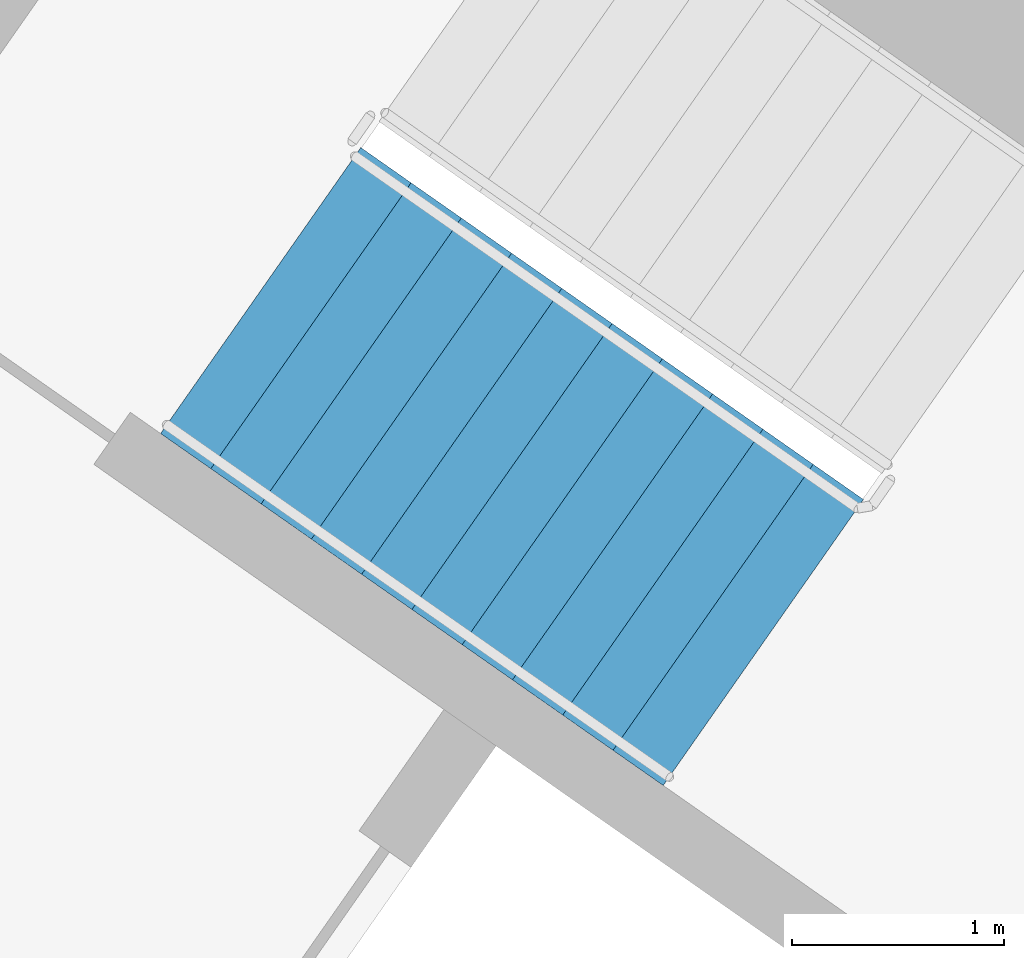
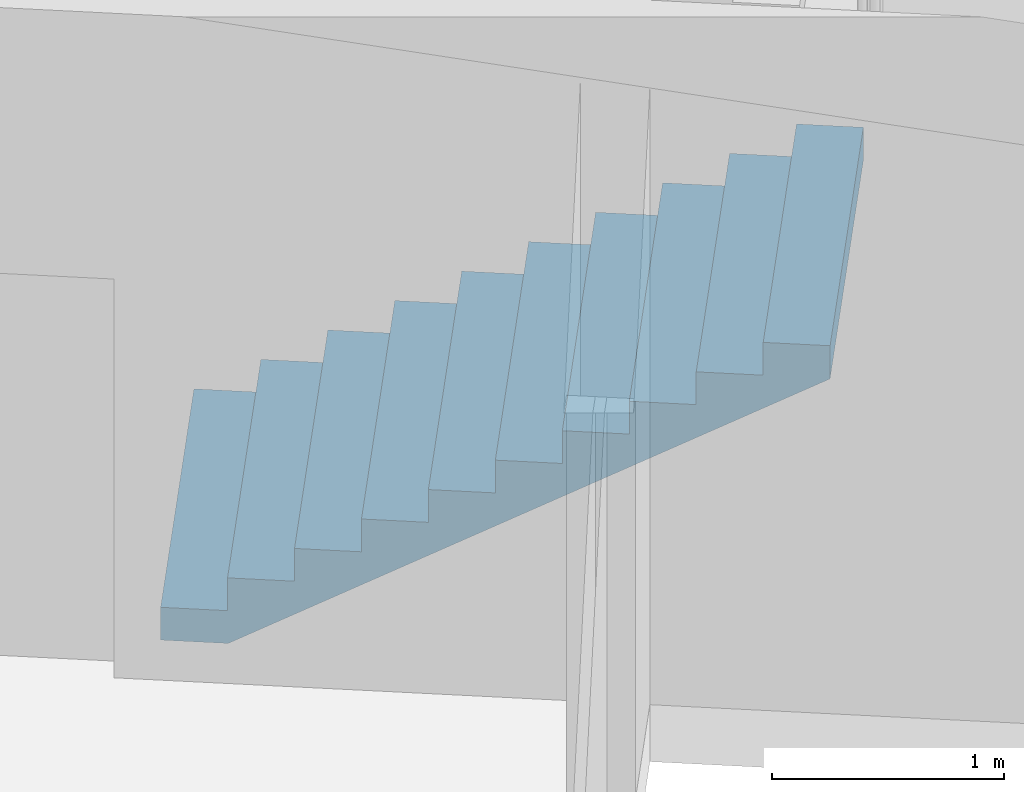
# One storey, part 13 of 32: 1 stair flight, 1 element without a shape of its own.
"""IFC4 building model written with IfcOpenShell, lengths in metres."""

from ifc_helpers import new_model, si_unit, direction, frame, origin, place, context, subcontext, project, spatial, faceted_brep, material, type_object, element, aggregate, save


model = new_model("IFC4")

# Units and contexts
model_context = context("Model", 3, precision=1e-05, world=origin(), true_north=direction((0.0, 1.0)))
body_context = subcontext(model_context, "Body", "Model", "MODEL_VIEW")
ifc_project = project(units=[si_unit("LENGTHUNIT", "METRE"), si_unit("AREAUNIT", "SQUARE_METRE"), si_unit("VOLUMEUNIT", "CUBIC_METRE"), si_unit("PLANEANGLEUNIT", "RADIAN"), si_unit("MASSUNIT", "GRAM", prefix="KILO")], contexts=[model_context])

# Site, building, storey
site_placement = place(None, origin())
site = spatial("IfcSite", under=ifc_project, at=site_placement, CompositionType="ELEMENT")
building_placement = place(site_placement, origin())
building = spatial("IfcBuilding", under=site, at=building_placement, Name="Qamariyya Broadcast Tower", CompositionType="ELEMENT")
storey_placement = place(building_placement, frame((0.0, 0.0, 63.300048828125)))
storey = spatial("IfcBuildingStorey", under=building, at=storey_placement, Name="L12", CompositionType="ELEMENT", Elevation=63.300048828125)

# Stair, stair flight
ifc_material = material(Name="Concrete C50/60", Category="concrete")
stair_type = type_object("IfcStairType", Name="Exit stair 22 risers of 173 mm", PredefinedType="HALF_TURN_STAIR", material=ifc_material)
stair_placement = place(storey_placement, origin())
stair = element("IfcStair", 1, at=stair_placement, inside=storey, type_object=stair_type, Name="L12 Stair W2", PredefinedType="HALF_TURN_STAIR")
stair_flight_type = type_object("IfcStairFlightType", Name="Exit stair flight 11 risers of 173 mm", PredefinedType="STRAIGHT", material=ifc_material)
stair_flight_placement = place(storey_placement, frame((-41.59130859375, -49.15966796875, 0.0), z_axis=(0.0, 0.0, 1.0), x_axis=(0.819152044289, -0.573576436351, 0.0)))
stair_flight = element("IfcStairFlight", 2, at=stair_flight_placement, type_object=stair_flight_type, Name="ST-W2 flight 1", NumberOfRisers=11, NumberOfTreads=10, PredefinedType="STRAIGHT", RiserHeight=0.172727273, TreadLength=0.29, context=body_context, shape_type="Brep", body=[
    faceted_brep([(0.0, 0.824951171875, 0.0), (0.0, 0.824951171875, 0.172607421875), (0.2900390625, 0.824951171875, 0.172607421875), (0.2900390625, 0.824951171875, 0.345458984375), (0.580078125, 0.824951171875, 0.345458984375), (0.580078125, 0.824951171875, 0.51806640625), (0.8701171875, 0.824951171875, 0.51806640625), (0.8701171875, 0.824951171875, 0.69091796875), (1.159912109375, 0.824951171875, 0.69091796875), (1.159912109375, 0.824951171875, 0.863525390625), (1.449951171875, 0.824951171875, 0.863525390625), (1.449951171875, 0.824951171875, 1.036376953125), (1.739990234375, 0.824951171875, 1.036376953125), (1.739990234375, 0.824951171875, 1.208984375), (2.030029296875, 0.824951171875, 1.208984375), (2.030029296875, 0.824951171875, 1.3818359375), (2.320068359375, 0.824951171875, 1.3818359375), (2.320068359375, 0.824951171875, 1.554443359375), (2.610107421875, 0.824951171875, 1.554443359375), (2.610107421875, 0.824951171875, 1.727294921875), (2.89990234375, 0.824951171875, 1.727294921875), (2.89990234375, 0.824951171875, 1.552734375), (0.29296875, 0.824951171875, 0.0), (0.29296875, -0.824951171875, 0.0), (2.89990234375, -0.824951171875, 1.552734375), (2.89990234375, -0.824951171875, 1.727294921875), (2.610107421875, -0.824951171875, 1.727294921875), (2.610107421875, -0.824951171875, 1.554443359375), (2.320068359375, -0.824951171875, 1.554443359375), (2.320068359375, -0.824951171875, 1.3818359375), (2.030029296875, -0.824951171875, 1.3818359375), (2.030029296875, -0.824951171875, 1.208984375), (1.739990234375, -0.824951171875, 1.208984375), (1.739990234375, -0.824951171875, 1.036376953125), (1.449951171875, -0.824951171875, 1.036376953125), (1.449951171875, -0.824951171875, 0.863525390625), (1.159912109375, -0.824951171875, 0.863525390625), (1.159912109375, -0.824951171875, 0.69091796875), (0.8701171875, -0.824951171875, 0.69091796875), (0.8701171875, -0.824951171875, 0.51806640625), (0.580078125, -0.824951171875, 0.51806640625), (0.580078125, -0.824951171875, 0.345458984375), (0.2900390625, -0.824951171875, 0.345458984375), (0.2900390625, -0.824951171875, 0.172607421875), (0.0, -0.824951171875, 0.172607421875), (0.0, -0.824951171875, 0.0), (0.0, 0.10009765625, 0.0), (0.0, 0.086669921875, 0.0), (0.0, 0.0732421875, 0.0), (0.0, 0.06005859375, 0.0), (0.0, 0.046630859375, 0.0), (0.0, 0.033447265625, 0.0), (0.0, 0.02001953125, 0.0), (0.0, 0.006591796875, 0.0), (0.0, -0.006591796875, 0.0), (0.0, -0.02001953125, 0.0), (0.0, -0.033447265625, 0.0), (0.0, -0.046630859375, 0.0), (0.0, -0.06005859375, 0.0), (0.0, -0.0732421875, 0.0), (0.0, -0.086669921875, 0.0), (0.0, -0.10009765625, 0.0), (0.0, -0.10009765625, 0.172607421875), (0.0, -0.086669921875, 0.172607421875), (0.0, -0.0732421875, 0.172607421875), (0.0, -0.06005859375, 0.172607421875), (0.0, -0.046630859375, 0.172607421875), (0.0, -0.033447265625, 0.172607421875), (0.0, -0.02001953125, 0.172607421875), (0.0, -0.006591796875, 0.172607421875), (0.0, 0.006591796875, 0.172607421875), (0.0, 0.02001953125, 0.172607421875), (0.0, 0.033447265625, 0.172607421875), (0.0, 0.046630859375, 0.172607421875), (0.0, 0.06005859375, 0.172607421875), (0.0, 0.0732421875, 0.172607421875), (0.0, 0.086669921875, 0.172607421875), (0.0, 0.10009765625, 0.172607421875), (0.2900390625, -0.10009765625, 0.172607421875), (0.2900390625, -0.086669921875, 0.172607421875), (0.2900390625, -0.0732421875, 0.172607421875), (0.2900390625, -0.06005859375, 0.172607421875), (0.2900390625, -0.046630859375, 0.172607421875), (0.2900390625, -0.033447265625, 0.172607421875), (0.2900390625, -0.02001953125, 0.172607421875), (0.2900390625, -0.006591796875, 0.172607421875), (0.2900390625, 0.006591796875, 0.172607421875), (0.2900390625, 0.02001953125, 0.172607421875), (0.2900390625, 0.033447265625, 0.172607421875), (0.2900390625, 0.046630859375, 0.172607421875), (0.2900390625, 0.06005859375, 0.172607421875), (0.2900390625, 0.0732421875, 0.172607421875), (0.2900390625, 0.086669921875, 0.172607421875), (0.2900390625, 0.10009765625, 0.172607421875), (0.2900390625, -0.10009765625, 0.345458984375), (0.2900390625, -0.086669921875, 0.345458984375), (0.2900390625, -0.0732421875, 0.345458984375), (0.2900390625, -0.06005859375, 0.345458984375), (0.2900390625, -0.046630859375, 0.345458984375), (0.2900390625, -0.033447265625, 0.345458984375), (0.2900390625, -0.02001953125, 0.345458984375), (0.2900390625, -0.006591796875, 0.345458984375), (0.2900390625, 0.006591796875, 0.345458984375), (0.2900390625, 0.02001953125, 0.345458984375), (0.2900390625, 0.033447265625, 0.345458984375), (0.2900390625, 0.046630859375, 0.345458984375), (0.2900390625, 0.06005859375, 0.345458984375), (0.2900390625, 0.0732421875, 0.345458984375), (0.2900390625, 0.086669921875, 0.345458984375), (0.2900390625, 0.10009765625, 0.345458984375), (0.580078125, -0.10009765625, 0.345458984375), (0.580078125, -0.086669921875, 0.345458984375), (0.580078125, -0.0732421875, 0.345458984375), (0.580078125, -0.06005859375, 0.345458984375), (0.580078125, -0.046630859375, 0.345458984375), (0.580078125, -0.033447265625, 0.345458984375), (0.580078125, -0.02001953125, 0.345458984375), (0.580078125, -0.006591796875, 0.345458984375), (0.580078125, 0.006591796875, 0.345458984375), (0.580078125, 0.02001953125, 0.345458984375), (0.580078125, 0.033447265625, 0.345458984375), (0.580078125, 0.046630859375, 0.345458984375), (0.580078125, 0.06005859375, 0.345458984375), (0.580078125, 0.0732421875, 0.345458984375), (0.580078125, 0.086669921875, 0.345458984375), (0.580078125, 0.10009765625, 0.345458984375), (0.580078125, -0.10009765625, 0.51806640625), (0.580078125, -0.086669921875, 0.51806640625), (0.580078125, -0.0732421875, 0.51806640625), (0.580078125, -0.06005859375, 0.51806640625), (0.580078125, -0.046630859375, 0.51806640625), (0.580078125, -0.033447265625, 0.51806640625), (0.580078125, -0.02001953125, 0.51806640625), (0.580078125, -0.006591796875, 0.51806640625), (0.580078125, 0.006591796875, 0.51806640625), (0.580078125, 0.02001953125, 0.51806640625), (0.580078125, 0.033447265625, 0.51806640625), (0.580078125, 0.046630859375, 0.51806640625), (0.580078125, 0.06005859375, 0.51806640625), (0.580078125, 0.0732421875, 0.51806640625), (0.580078125, 0.086669921875, 0.51806640625), (0.580078125, 0.10009765625, 0.51806640625), (0.8701171875, -0.10009765625, 0.51806640625), (0.8701171875, -0.086669921875, 0.51806640625), (0.8701171875, -0.0732421875, 0.51806640625), (0.8701171875, -0.06005859375, 0.51806640625), (0.8701171875, -0.046630859375, 0.51806640625), (0.8701171875, -0.033447265625, 0.51806640625), (0.8701171875, -0.02001953125, 0.51806640625), (0.8701171875, -0.006591796875, 0.51806640625), (0.8701171875, 0.006591796875, 0.51806640625), (0.8701171875, 0.02001953125, 0.51806640625), (0.8701171875, 0.033447265625, 0.51806640625), (0.8701171875, 0.046630859375, 0.51806640625), (0.8701171875, 0.06005859375, 0.51806640625), (0.8701171875, 0.0732421875, 0.51806640625), (0.8701171875, 0.086669921875, 0.51806640625), (0.8701171875, 0.10009765625, 0.51806640625), (0.8701171875, -0.10009765625, 0.69091796875), (0.8701171875, -0.086669921875, 0.69091796875), (0.8701171875, -0.0732421875, 0.69091796875), (0.8701171875, -0.06005859375, 0.69091796875), (0.8701171875, -0.046630859375, 0.69091796875), (0.8701171875, -0.033447265625, 0.69091796875), (0.8701171875, -0.02001953125, 0.69091796875), (0.8701171875, -0.006591796875, 0.69091796875), (0.8701171875, 0.006591796875, 0.69091796875), (0.8701171875, 0.02001953125, 0.69091796875), (0.8701171875, 0.033447265625, 0.69091796875), (0.8701171875, 0.046630859375, 0.69091796875), (0.8701171875, 0.06005859375, 0.69091796875), (0.8701171875, 0.0732421875, 0.69091796875), (0.8701171875, 0.086669921875, 0.69091796875), (0.8701171875, 0.10009765625, 0.69091796875), (1.159912109375, -0.10009765625, 0.69091796875), (1.159912109375, -0.086669921875, 0.69091796875), (1.159912109375, -0.0732421875, 0.69091796875), (1.159912109375, -0.06005859375, 0.69091796875), (1.159912109375, -0.046630859375, 0.69091796875), (1.159912109375, -0.033447265625, 0.69091796875), (1.159912109375, -0.02001953125, 0.69091796875), (1.159912109375, -0.006591796875, 0.69091796875), (1.159912109375, 0.006591796875, 0.69091796875), (1.159912109375, 0.02001953125, 0.69091796875), (1.159912109375, 0.033447265625, 0.69091796875), (1.159912109375, 0.046630859375, 0.69091796875), (1.159912109375, 0.06005859375, 0.69091796875), (1.159912109375, 0.0732421875, 0.69091796875), (1.159912109375, 0.086669921875, 0.69091796875), (1.159912109375, 0.10009765625, 0.69091796875), (1.159912109375, -0.10009765625, 0.863525390625), (1.159912109375, -0.086669921875, 0.863525390625), (1.159912109375, -0.0732421875, 0.863525390625), (1.159912109375, -0.06005859375, 0.863525390625), (1.159912109375, -0.046630859375, 0.863525390625), (1.159912109375, -0.033447265625, 0.863525390625), (1.159912109375, -0.02001953125, 0.863525390625), (1.159912109375, -0.006591796875, 0.863525390625), (1.159912109375, 0.006591796875, 0.863525390625), (1.159912109375, 0.02001953125, 0.863525390625), (1.159912109375, 0.033447265625, 0.863525390625), (1.159912109375, 0.046630859375, 0.863525390625), (1.159912109375, 0.06005859375, 0.863525390625), (1.159912109375, 0.0732421875, 0.863525390625), (1.159912109375, 0.086669921875, 0.863525390625), (1.159912109375, 0.10009765625, 0.863525390625), (1.449951171875, -0.10009765625, 0.863525390625), (1.449951171875, -0.086669921875, 0.863525390625), (1.449951171875, -0.0732421875, 0.863525390625), (1.449951171875, -0.06005859375, 0.863525390625), (1.449951171875, -0.046630859375, 0.863525390625), (1.449951171875, -0.033447265625, 0.863525390625), (1.449951171875, -0.02001953125, 0.863525390625), (1.449951171875, -0.006591796875, 0.863525390625), (1.449951171875, 0.006591796875, 0.863525390625), (1.449951171875, 0.02001953125, 0.863525390625), (1.449951171875, 0.033447265625, 0.863525390625), (1.449951171875, 0.046630859375, 0.863525390625), (1.449951171875, 0.06005859375, 0.863525390625), (1.449951171875, 0.0732421875, 0.863525390625), (1.449951171875, 0.086669921875, 0.863525390625), (1.449951171875, 0.10009765625, 0.863525390625), (1.449951171875, -0.10009765625, 1.036376953125), (1.449951171875, -0.086669921875, 1.036376953125), (1.449951171875, -0.0732421875, 1.036376953125), (1.449951171875, -0.06005859375, 1.036376953125), (1.449951171875, -0.046630859375, 1.036376953125), (1.449951171875, -0.033447265625, 1.036376953125), (1.449951171875, -0.02001953125, 1.036376953125), (1.449951171875, -0.006591796875, 1.036376953125), (1.449951171875, 0.006591796875, 1.036376953125), (1.449951171875, 0.02001953125, 1.036376953125), (1.449951171875, 0.033447265625, 1.036376953125), (1.449951171875, 0.046630859375, 1.036376953125), (1.449951171875, 0.06005859375, 1.036376953125), (1.449951171875, 0.0732421875, 1.036376953125), (1.449951171875, 0.086669921875, 1.036376953125), (1.449951171875, 0.10009765625, 1.036376953125), (1.739990234375, -0.10009765625, 1.036376953125), (1.739990234375, -0.086669921875, 1.036376953125), (1.739990234375, -0.0732421875, 1.036376953125), (1.739990234375, -0.06005859375, 1.036376953125), (1.739990234375, -0.046630859375, 1.036376953125), (1.739990234375, -0.033447265625, 1.036376953125), (1.739990234375, -0.02001953125, 1.036376953125), (1.739990234375, -0.006591796875, 1.036376953125), (1.739990234375, 0.006591796875, 1.036376953125), (1.739990234375, 0.02001953125, 1.036376953125), (1.739990234375, 0.033447265625, 1.036376953125), (1.739990234375, 0.046630859375, 1.036376953125), (1.739990234375, 0.06005859375, 1.036376953125), (1.739990234375, 0.0732421875, 1.036376953125), (1.739990234375, 0.086669921875, 1.036376953125), (1.739990234375, 0.10009765625, 1.036376953125), (1.739990234375, -0.10009765625, 1.208984375), (1.739990234375, -0.086669921875, 1.208984375), (1.739990234375, -0.0732421875, 1.208984375), (1.739990234375, -0.06005859375, 1.208984375), (1.739990234375, -0.046630859375, 1.208984375), (1.739990234375, -0.033447265625, 1.208984375), (1.739990234375, -0.02001953125, 1.208984375), (1.739990234375, -0.006591796875, 1.208984375), (1.739990234375, 0.006591796875, 1.208984375), (1.739990234375, 0.02001953125, 1.208984375), (1.739990234375, 0.033447265625, 1.208984375), (1.739990234375, 0.046630859375, 1.208984375), (1.739990234375, 0.06005859375, 1.208984375), (1.739990234375, 0.0732421875, 1.208984375), (1.739990234375, 0.086669921875, 1.208984375), (1.739990234375, 0.10009765625, 1.208984375), (2.030029296875, -0.10009765625, 1.208984375), (2.030029296875, -0.086669921875, 1.208984375), (2.030029296875, -0.0732421875, 1.208984375), (2.030029296875, -0.06005859375, 1.208984375), (2.030029296875, -0.046630859375, 1.208984375), (2.030029296875, -0.033447265625, 1.208984375), (2.030029296875, -0.02001953125, 1.208984375), (2.030029296875, -0.006591796875, 1.208984375), (2.030029296875, 0.006591796875, 1.208984375), (2.030029296875, 0.02001953125, 1.208984375), (2.030029296875, 0.033447265625, 1.208984375), (2.030029296875, 0.046630859375, 1.208984375), (2.030029296875, 0.06005859375, 1.208984375), (2.030029296875, 0.0732421875, 1.208984375), (2.030029296875, 0.086669921875, 1.208984375), (2.030029296875, 0.10009765625, 1.208984375), (2.030029296875, -0.10009765625, 1.3818359375), (2.030029296875, -0.086669921875, 1.3818359375), (2.030029296875, -0.0732421875, 1.3818359375), (2.030029296875, -0.06005859375, 1.3818359375), (2.030029296875, -0.046630859375, 1.3818359375), (2.030029296875, -0.033447265625, 1.3818359375), (2.030029296875, -0.02001953125, 1.3818359375), (2.030029296875, -0.006591796875, 1.3818359375), (2.030029296875, 0.006591796875, 1.3818359375), (2.030029296875, 0.02001953125, 1.3818359375), (2.030029296875, 0.033447265625, 1.3818359375), (2.030029296875, 0.046630859375, 1.3818359375), (2.030029296875, 0.06005859375, 1.3818359375), (2.030029296875, 0.0732421875, 1.3818359375), (2.030029296875, 0.086669921875, 1.3818359375), (2.030029296875, 0.10009765625, 1.3818359375), (2.320068359375, -0.10009765625, 1.3818359375), (2.320068359375, -0.086669921875, 1.3818359375), (2.320068359375, -0.0732421875, 1.3818359375), (2.320068359375, -0.06005859375, 1.3818359375), (2.320068359375, -0.046630859375, 1.3818359375), (2.320068359375, -0.033447265625, 1.3818359375), (2.320068359375, -0.02001953125, 1.3818359375), (2.320068359375, -0.006591796875, 1.3818359375), (2.320068359375, 0.006591796875, 1.3818359375), (2.320068359375, 0.02001953125, 1.3818359375), (2.320068359375, 0.033447265625, 1.3818359375), (2.320068359375, 0.046630859375, 1.3818359375), (2.320068359375, 0.06005859375, 1.3818359375), (2.320068359375, 0.0732421875, 1.3818359375), (2.320068359375, 0.086669921875, 1.3818359375), (2.320068359375, 0.10009765625, 1.3818359375), (2.320068359375, -0.10009765625, 1.554443359375), (2.320068359375, -0.086669921875, 1.554443359375), (2.320068359375, -0.0732421875, 1.554443359375), (2.320068359375, -0.06005859375, 1.554443359375), (2.320068359375, -0.046630859375, 1.554443359375), (2.320068359375, -0.033447265625, 1.554443359375), (2.320068359375, -0.02001953125, 1.554443359375), (2.320068359375, -0.006591796875, 1.554443359375), (2.320068359375, 0.006591796875, 1.554443359375), (2.320068359375, 0.02001953125, 1.554443359375), (2.320068359375, 0.033447265625, 1.554443359375), (2.320068359375, 0.046630859375, 1.554443359375), (2.320068359375, 0.06005859375, 1.554443359375), (2.320068359375, 0.0732421875, 1.554443359375), (2.320068359375, 0.086669921875, 1.554443359375), (2.320068359375, 0.10009765625, 1.554443359375), (2.610107421875, -0.10009765625, 1.554443359375), (2.610107421875, -0.086669921875, 1.554443359375), (2.610107421875, -0.0732421875, 1.554443359375), (2.610107421875, -0.06005859375, 1.554443359375), (2.610107421875, -0.046630859375, 1.554443359375), (2.610107421875, -0.033447265625, 1.554443359375), (2.610107421875, -0.02001953125, 1.554443359375), (2.610107421875, -0.006591796875, 1.554443359375), (2.610107421875, 0.006591796875, 1.554443359375), (2.610107421875, 0.02001953125, 1.554443359375), (2.610107421875, 0.033447265625, 1.554443359375), (2.610107421875, 0.046630859375, 1.554443359375), (2.610107421875, 0.06005859375, 1.554443359375), (2.610107421875, 0.0732421875, 1.554443359375), (2.610107421875, 0.086669921875, 1.554443359375), (2.610107421875, 0.10009765625, 1.554443359375), (2.610107421875, -0.10009765625, 1.727294921875), (2.610107421875, -0.086669921875, 1.727294921875), (2.610107421875, -0.0732421875, 1.727294921875), (2.610107421875, -0.06005859375, 1.727294921875), (2.610107421875, -0.046630859375, 1.727294921875), (2.610107421875, -0.033447265625, 1.727294921875), (2.610107421875, -0.02001953125, 1.727294921875), (2.610107421875, -0.006591796875, 1.727294921875), (2.610107421875, 0.006591796875, 1.727294921875), (2.610107421875, 0.02001953125, 1.727294921875), (2.610107421875, 0.033447265625, 1.727294921875), (2.610107421875, 0.046630859375, 1.727294921875), (2.610107421875, 0.06005859375, 1.727294921875), (2.610107421875, 0.0732421875, 1.727294921875), (2.610107421875, 0.086669921875, 1.727294921875), (2.610107421875, 0.10009765625, 1.727294921875), (2.89990234375, -0.10009765625, 1.727294921875), (2.89990234375, -0.086669921875, 1.727294921875), (2.89990234375, -0.0732421875, 1.727294921875), (2.89990234375, -0.06005859375, 1.727294921875), (2.89990234375, -0.046630859375, 1.727294921875), (2.89990234375, -0.033447265625, 1.727294921875), (2.89990234375, -0.02001953125, 1.727294921875), (2.89990234375, -0.006591796875, 1.727294921875), (2.89990234375, 0.006591796875, 1.727294921875), (2.89990234375, 0.02001953125, 1.727294921875), (2.89990234375, 0.033447265625, 1.727294921875), (2.89990234375, 0.046630859375, 1.727294921875), (2.89990234375, 0.06005859375, 1.727294921875), (2.89990234375, 0.0732421875, 1.727294921875), (2.89990234375, 0.086669921875, 1.727294921875), (2.89990234375, 0.10009765625, 1.727294921875), (2.89990234375, -0.10009765625, 1.552734375), (2.89990234375, -0.086669921875, 1.552734375), (2.89990234375, -0.0732421875, 1.552734375), (2.89990234375, -0.06005859375, 1.552734375), (2.89990234375, -0.046630859375, 1.552734375), (2.89990234375, -0.033447265625, 1.552734375), (2.89990234375, -0.02001953125, 1.552734375), (2.89990234375, -0.006591796875, 1.552734375), (2.89990234375, 0.006591796875, 1.552734375), (2.89990234375, 0.02001953125, 1.552734375), (2.89990234375, 0.033447265625, 1.552734375), (2.89990234375, 0.046630859375, 1.552734375), (2.89990234375, 0.06005859375, 1.552734375), (2.89990234375, 0.0732421875, 1.552734375), (2.89990234375, 0.086669921875, 1.552734375), (2.89990234375, 0.10009765625, 1.552734375), (0.29296875, -0.10009765625, 0.0), (0.29296875, -0.086669921875, 0.0), (0.29296875, -0.0732421875, 0.0), (0.29296875, -0.06005859375, 0.0), (0.29296875, -0.046630859375, 0.0), (0.29296875, -0.033447265625, 0.0), (0.29296875, -0.02001953125, 0.0), (0.29296875, -0.006591796875, 0.0), (0.29296875, 0.006591796875, 0.0), (0.29296875, 0.02001953125, 0.0), (0.29296875, 0.033447265625, 0.0), (0.29296875, 0.046630859375, 0.0), (0.29296875, 0.06005859375, 0.0), (0.29296875, 0.0732421875, 0.0), (0.29296875, 0.086669921875, 0.0), (0.29296875, 0.10009765625, 0.0)], [[[0, 1, 2, 3, 4, 5, 6, 7, 8, 9, 10, 11, 12, 13, 14, 15, 16, 17, 18, 19, 20, 21, 22]], [[23, 24, 25, 26, 27, 28, 29, 30, 31, 32, 33, 34, 35, 36, 37, 38, 39, 40, 41, 42, 43, 44, 45]], [[0, 46, 47, 48, 49, 50, 51, 52, 53, 54, 55, 56, 57, 58, 59, 60, 61, 45, 44, 62, 63, 64, 65, 66, 67, 68, 69, 70, 71, 72, 73, 74, 75, 76, 77, 1]], [[1, 77, 76, 75, 74, 73, 72, 71, 70, 69, 68, 67, 66, 65, 64, 63, 62, 44, 43, 78, 79, 80, 81, 82, 83, 84, 85, 86, 87, 88, 89, 90, 91, 92, 93, 2]], [[2, 93, 92, 91, 90, 89, 88, 87, 86, 85, 84, 83, 82, 81, 80, 79, 78, 43, 42, 94, 95, 96, 97, 98, 99, 100, 101, 102, 103, 104, 105, 106, 107, 108, 109, 3]], [[3, 109, 108, 107, 106, 105, 104, 103, 102, 101, 100, 99, 98, 97, 96, 95, 94, 42, 41, 110, 111, 112, 113, 114, 115, 116, 117, 118, 119, 120, 121, 122, 123, 124, 125, 4]], [[4, 125, 124, 123, 122, 121, 120, 119, 118, 117, 116, 115, 114, 113, 112, 111, 110, 41, 40, 126, 127, 128, 129, 130, 131, 132, 133, 134, 135, 136, 137, 138, 139, 140, 141, 5]], [[5, 141, 140, 139, 138, 137, 136, 135, 134, 133, 132, 131, 130, 129, 128, 127, 126, 40, 39, 142, 143, 144, 145, 146, 147, 148, 149, 150, 151, 152, 153, 154, 155, 156, 157, 6]], [[6, 157, 156, 155, 154, 153, 152, 151, 150, 149, 148, 147, 146, 145, 144, 143, 142, 39, 38, 158, 159, 160, 161, 162, 163, 164, 165, 166, 167, 168, 169, 170, 171, 172, 173, 7]], [[7, 173, 172, 171, 170, 169, 168, 167, 166, 165, 164, 163, 162, 161, 160, 159, 158, 38, 37, 174, 175, 176, 177, 178, 179, 180, 181, 182, 183, 184, 185, 186, 187, 188, 189, 8]], [[8, 189, 188, 187, 186, 185, 184, 183, 182, 181, 180, 179, 178, 177, 176, 175, 174, 37, 36, 190, 191, 192, 193, 194, 195, 196, 197, 198, 199, 200, 201, 202, 203, 204, 205, 9]], [[9, 205, 204, 203, 202, 201, 200, 199, 198, 197, 196, 195, 194, 193, 192, 191, 190, 36, 35, 206, 207, 208, 209, 210, 211, 212, 213, 214, 215, 216, 217, 218, 219, 220, 221, 10]], [[10, 221, 220, 219, 218, 217, 216, 215, 214, 213, 212, 211, 210, 209, 208, 207, 206, 35, 34, 222, 223, 224, 225, 226, 227, 228, 229, 230, 231, 232, 233, 234, 235, 236, 237, 11]], [[11, 237, 236, 235, 234, 233, 232, 231, 230, 229, 228, 227, 226, 225, 224, 223, 222, 34, 33, 238, 239, 240, 241, 242, 243, 244, 245, 246, 247, 248, 249, 250, 251, 252, 253, 12]], [[12, 253, 252, 251, 250, 249, 248, 247, 246, 245, 244, 243, 242, 241, 240, 239, 238, 33, 32, 254, 255, 256, 257, 258, 259, 260, 261, 262, 263, 264, 265, 266, 267, 268, 269, 13]], [[13, 269, 268, 267, 266, 265, 264, 263, 262, 261, 260, 259, 258, 257, 256, 255, 254, 32, 31, 270, 271, 272, 273, 274, 275, 276, 277, 278, 279, 280, 281, 282, 283, 284, 285, 14]], [[14, 285, 284, 283, 282, 281, 280, 279, 278, 277, 276, 275, 274, 273, 272, 271, 270, 31, 30, 286, 287, 288, 289, 290, 291, 292, 293, 294, 295, 296, 297, 298, 299, 300, 301, 15]], [[15, 301, 300, 299, 298, 297, 296, 295, 294, 293, 292, 291, 290, 289, 288, 287, 286, 30, 29, 302, 303, 304, 305, 306, 307, 308, 309, 310, 311, 312, 313, 314, 315, 316, 317, 16]], [[16, 317, 316, 315, 314, 313, 312, 311, 310, 309, 308, 307, 306, 305, 304, 303, 302, 29, 28, 318, 319, 320, 321, 322, 323, 324, 325, 326, 327, 328, 329, 330, 331, 332, 333, 17]], [[17, 333, 332, 331, 330, 329, 328, 327, 326, 325, 324, 323, 322, 321, 320, 319, 318, 28, 27, 334, 335, 336, 337, 338, 339, 340, 341, 342, 343, 344, 345, 346, 347, 348, 349, 18]], [[18, 349, 348, 347, 346, 345, 344, 343, 342, 341, 340, 339, 338, 337, 336, 335, 334, 27, 26, 350, 351, 352, 353, 354, 355, 356, 357, 358, 359, 360, 361, 362, 363, 364, 365, 19]], [[19, 365, 364, 363, 362, 361, 360, 359, 358, 357, 356, 355, 354, 353, 352, 351, 350, 26, 25, 366, 367, 368, 369, 370, 371, 372, 373, 374, 375, 376, 377, 378, 379, 380, 381, 20]], [[20, 381, 380, 379, 378, 377, 376, 375, 374, 373, 372, 371, 370, 369, 368, 367, 366, 25, 24, 382, 383, 384, 385, 386, 387, 388, 389, 390, 391, 392, 393, 394, 395, 396, 397, 21]], [[21, 397, 396, 395, 394, 393, 392, 391, 390, 389, 388, 387, 386, 385, 384, 383, 382, 24, 23, 398, 399, 400, 401, 402, 403, 404, 405, 406, 407, 408, 409, 410, 411, 412, 413, 22]], [[22, 413, 412, 411, 410, 409, 408, 407, 406, 405, 404, 403, 402, 401, 400, 399, 398, 23, 45, 61, 60, 59, 58, 57, 56, 55, 54, 53, 52, 51, 50, 49, 48, 47, 46, 0]]]),
])
aggregate(stair, [stair_flight])

save(model, "model.ifc")
